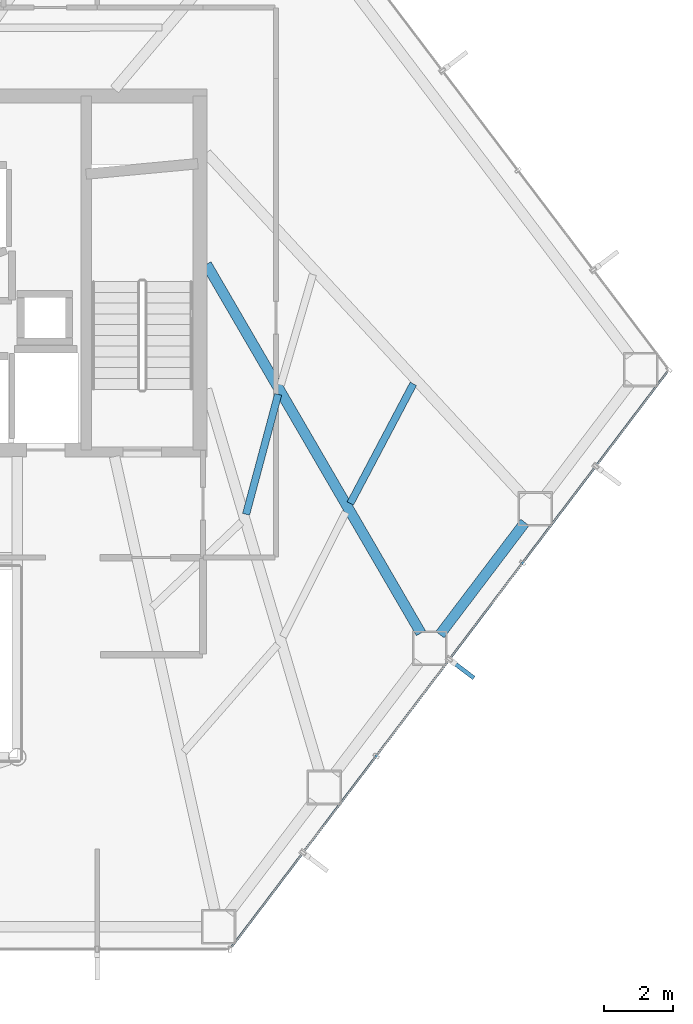
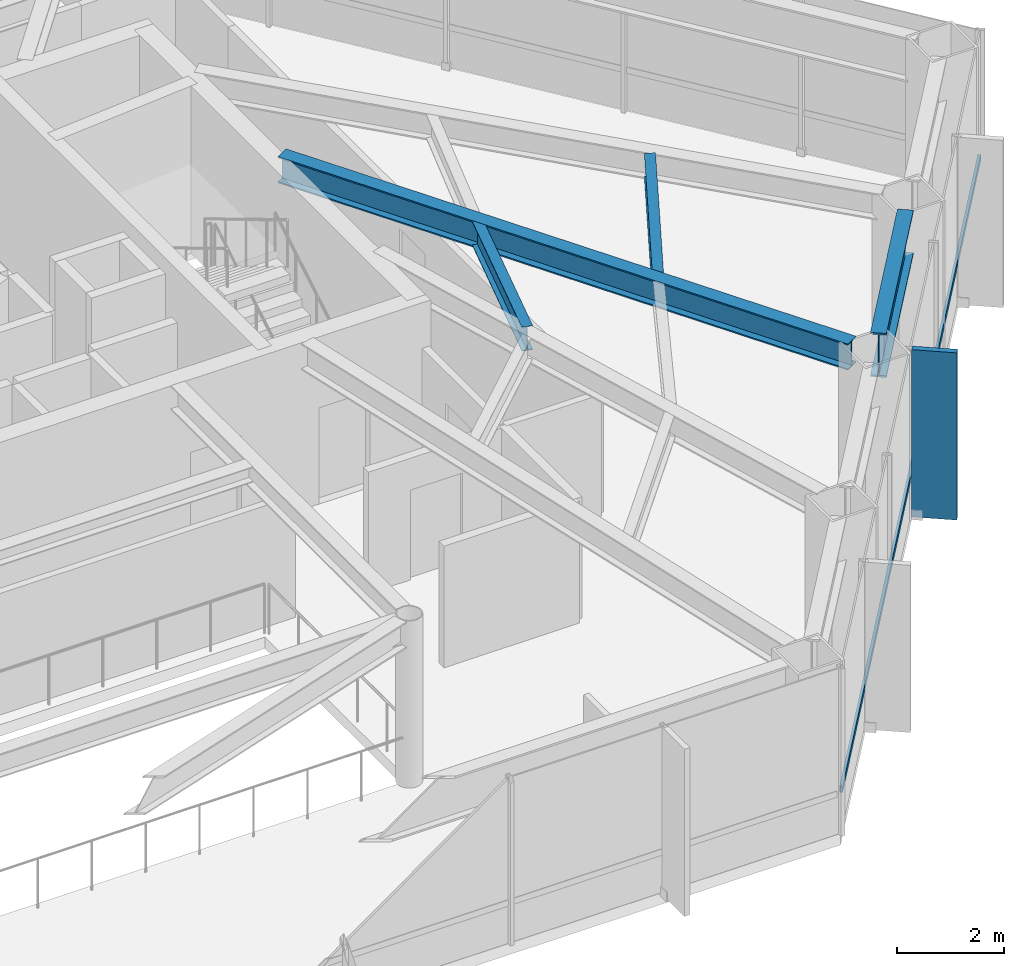
# One storey, part 17 of 25: 4 beams, 2 members, 1 element without a shape of its own.
"""IFC4 building model written with IfcOpenShell, lengths in metres."""

from ifc_helpers import new_model, si_unit, direction, frame, origin, origin_2d, place, context, subcontext, project, spatial, rectangle, hollow_rectangle, i_section, extrude, material, layer, layer_set, material_profile, profile_set, type_object, element, aggregate, save


model = new_model("IFC4")

# Units and contexts
model_context = context("Model", 3, precision=1e-05, world=origin(), true_north=direction((0.0, 1.0)))
body_context = subcontext(model_context, "Body", "Model", "MODEL_VIEW")
ifc_project = project(units=[si_unit("LENGTHUNIT", "METRE"), si_unit("AREAUNIT", "SQUARE_METRE"), si_unit("VOLUMEUNIT", "CUBIC_METRE"), si_unit("PLANEANGLEUNIT", "RADIAN"), si_unit("MASSUNIT", "GRAM", prefix="KILO")], contexts=[model_context])

# Site, building, storey
site_placement = place(None, origin())
site = spatial("IfcSite", under=ifc_project, at=site_placement, CompositionType="ELEMENT")
building_placement = place(site_placement, origin())
building = spatial("IfcBuilding", under=site, at=building_placement, Name="Zarrinselat Tower", CompositionType="ELEMENT")
storey_placement = place(building_placement, frame((0.0, 0.0, 56.10009765625)))
storey = spatial("IfcBuildingStorey", under=building, at=storey_placement, Name="L13", CompositionType="ELEMENT", Elevation=56.10009765625)

# Beams
ifc_material_1 = material(Name="Steel S355J2", Category="steel")
ifc_material_profile_1 = material_profile(ifc_material_1, i_section(OverallWidth=0.300048828125, OverallDepth=0.60009765625, WebThickness=0.015380859375, FlangeThickness=0.030029296875, at=origin_2d()), Name="HEB 600")
ifc_profile_set_1 = profile_set([ifc_material_profile_1], Name="Steel S355J2")
beam_type_1 = type_object("IfcBeamType", Name="BM-HEB600", PredefinedType="BEAM", material=ifc_profile_set_1)
beam_1_placement = place(storey_placement, frame((48.449951171875, 38.60009765625, 3.52001953125), z_axis=(0.502612172736, -0.864512003281, 0.0), x_axis=(0.864512003281, 0.502612172736, 0.0)))
element("IfcBeam", 1, at=beam_1_placement, inside=storey, type_object=beam_type_1, Name="L13 Radial Primary Girder RG13", PredefinedType="BEAM", context=body_context, shape_type="SweptSolid", body=[
    extrude(i_section(OverallWidth=0.300048828125, OverallDepth=0.60009765625, WebThickness=0.015380859375, FlangeThickness=0.030029296875, at=origin_2d()), origin(), (0.0, 0.0, 1.0), 12.292724609375),
])
ifc_material_2 = material(Name="Steel S460M", Category="steel")
ifc_material_profile_2 = material_profile(ifc_material_2, i_section(OverallWidth=0.302001953125, OverallDepth=1.008056640625, WebThickness=0.02099609375, FlangeThickness=0.0400390625, at=origin_2d()), Name="HEM 1000")
ifc_profile_set_2 = profile_set([ifc_material_profile_2], Name="Steel S460M")
beam_type_2 = type_object("IfcBeamType", Name="BM-HEM1000", PredefinedType="BEAM", material=ifc_profile_set_2)
beam_2_placement = place(storey_placement, frame((55.17529296875, 27.927734375, 3.31591796875), z_axis=(0.603890109668, 0.797067585243, 0.0), x_axis=(-0.797067585243, 0.603890109668, 0.0)))
element("IfcBeam", 2, at=beam_2_placement, inside=storey, type_object=beam_type_2, Name="L13 Perimeter Spandrel Girder SP13", PredefinedType="BEAM", context=body_context, shape_type="SweptSolid", body=[
    extrude(i_section(OverallWidth=0.302001953125, OverallDepth=1.008056640625, WebThickness=0.02099609375, FlangeThickness=0.0400390625, at=origin_2d()), origin(), (0.0, 0.0, 1.0), 4.059326171875),
])
ifc_material_3 = material(Name="Steel S355J2", Category="steel")
ifc_material_profile_3 = material_profile(ifc_material_3, i_section(OverallWidth=0.2099609375, OverallDepth=0.550048828125, WebThickness=0.010986328125, FlangeThickness=0.01708984375, at=origin_2d()), Name="IPE 550")
ifc_profile_set_3 = profile_set([ifc_material_profile_3], Name="Steel S355J2")
beam_type_3 = type_object("IfcBeamType", Name="BM-IPE550", PredefinedType="JOIST", material=ifc_profile_set_3)
beam_3_placement = place(storey_placement, frame((49.590576171875, 31.3974609375, 3.544921875), z_axis=(0.258376559287, 0.966044281392, 0.0), x_axis=(-0.966044281392, 0.258376559287, 0.0)))
element("IfcBeam", 3, at=beam_3_placement, inside=storey, type_object=beam_type_3, Name="L13 Composite Floor Joist 4-2", PredefinedType="JOIST", context=body_context, shape_type="SweptSolid", body=[
    extrude(i_section(OverallWidth=0.2099609375, OverallDepth=0.550048828125, WebThickness=0.010986328125, FlangeThickness=0.01708984375, at=origin_2d()), origin(), (0.0, 0.0, 1.0), 3.575439453125),
])
beam_4_placement = place(storey_placement, frame((52.593017578125, 31.7099609375, 3.544921875), z_axis=(0.466582989708, 0.884477424084, 0.0), x_axis=(-0.884477424084, 0.466582989708, 0.0)))
element("IfcBeam", 4, at=beam_4_placement, inside=storey, type_object=beam_type_3, Name="L13 Composite Floor Joist 5-1", PredefinedType="JOIST", context=body_context, shape_type="SweptSolid", body=[
    extrude(i_section(OverallWidth=0.2099609375, OverallDepth=0.550048828125, WebThickness=0.010986328125, FlangeThickness=0.01708984375, at=origin_2d()), origin(), (0.0, 0.0, 1.0), 3.896240234375),
])

# Curtain wall, members
ifc_material_4 = material(Name="Extruded Aluminium Alloy EN AW-6063 T6", Category="aluminium")
ifc_layer = layer(ifc_material_4, 0.18505859375)
ifc_layer_set = layer_set([ifc_layer], Name="Extruded Aluminium Alloy EN AW-6063 T6")
curtain_wall_type = type_object("IfcCurtainWallType", Name="CWS-OFF", PredefinedType="NOTDEFINED", material=ifc_layer_set)
curtain_wall_placement = place(storey_placement, origin())
curtain_wall = element("IfcCurtainWall", 5, at=curtain_wall_placement, inside=storey, type_object=curtain_wall_type, Name="L13 Unitised Curtain Wall CW-L13-E05", PredefinedType="NOTDEFINED")
ifc_material_5 = material(Name="Extruded Aluminium Alloy EN AW-6063 T6", Category="aluminium")
ifc_material_profile_4 = material_profile(ifc_material_5, hollow_rectangle(XDim=0.06005859375, YDim=0.139892578125, WallThickness=0.00390625, at=origin_2d()), Name="RHS 140x60x4")
ifc_profile_set_4 = profile_set([ifc_material_profile_4], Name="Extruded Aluminium Alloy EN AW-6063 T6")
member_type_1 = type_object("IfcMemberType", Name="MEM-CW-TRN", PredefinedType="USERDEFINED", material=ifc_profile_set_4)
member_1_placement = place(storey_placement, frame((49.177001953125, 18.933349609375, 0.949951171875), z_axis=(0.603860402873, 0.797090091422, 0.0), x_axis=(-0.797090091422, 0.603860402873, 0.0)))
member_1 = element("IfcMember", 6, at=member_1_placement, type_object=member_type_1, Name="CW-L13-E05 Transom 1", ObjectType="TRANSOM", PredefinedType="USERDEFINED", context=body_context, shape_type="SweptSolid", body=[
    extrude(hollow_rectangle(XDim=0.06005859375, YDim=0.139892578125, WallThickness=0.00390625, at=origin_2d()), origin(), (0.0, 0.0, 1.0), 20.776611328125),
])
ifc_material_6 = material(Name="Honed Cream Travertine Stone", Category="masonry")
ifc_material_profile_5 = material_profile(ifc_material_6, rectangle(XDim=0.1201171875, YDim=0.85009765625, at=origin_2d()), Name="FIN 850x120")
ifc_profile_set_5 = profile_set([ifc_material_profile_5], Name="Honed Cream Travertine Stone")
member_type_2 = type_object("IfcMemberType", Name="MEM-STONE-FIN", PredefinedType="USERDEFINED", material=ifc_profile_set_5)
member_2_placement = place(storey_placement, frame((55.816650390625, 26.93603515625, 0.0), z_axis=(0.0, 0.0, 1.0), x_axis=(-0.603860811653, -0.797089781737, 0.0)))
member_2 = element("IfcMember", 7, at=member_2_placement, type_object=member_type_2, Name="L13 Stone Shading Fin CW-L13-E05-03", ObjectType="FIN", PredefinedType="USERDEFINED", context=body_context, shape_type="SweptSolid", body=[
    extrude(rectangle(XDim=0.1201171875, YDim=0.85009765625, at=origin_2d()), origin(), (0.0, 0.0, 1.0), 3.81982421875),
])
aggregate(curtain_wall, [member_2, member_1])

save(model, "model.ifc")
